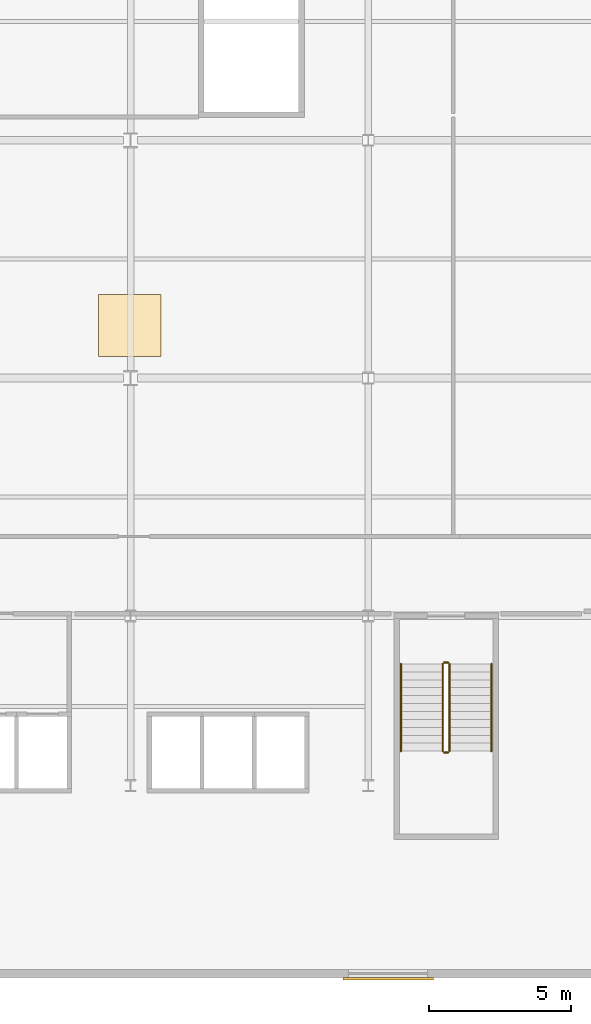
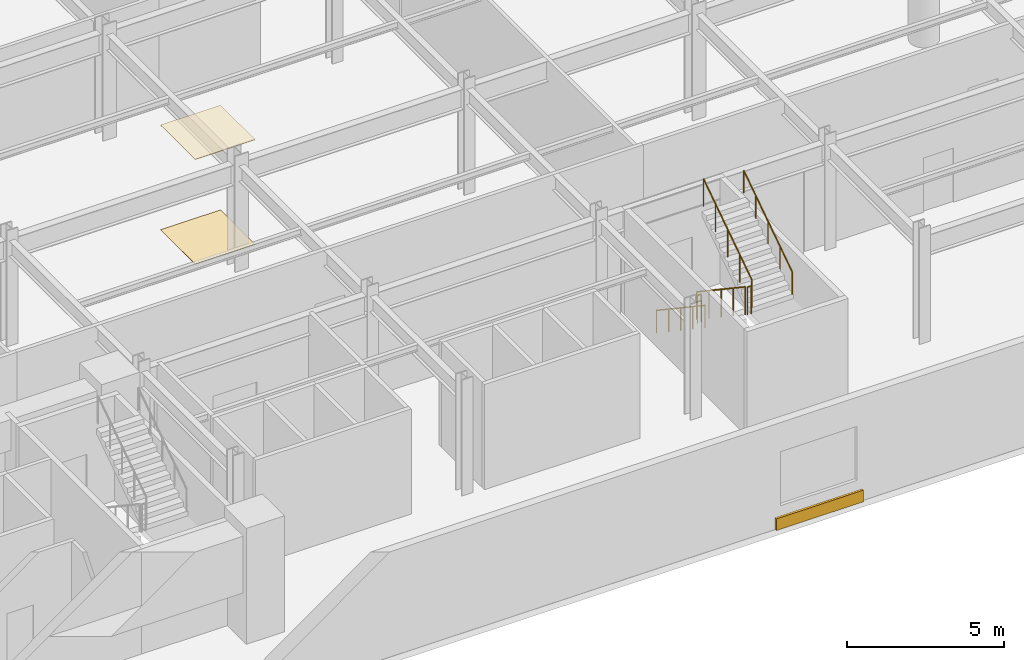
# One storey, part 21 of 23: 6 railings, 3 coverings.
"""IFC4 building model written with IfcOpenShell, lengths in metres."""

from ifc_helpers import new_model, si_unit, direction, frame, origin, origin_2d, place, context, subcontext, project, spatial, rectangle, circle, extrude, material, layer, layer_set, type_object, element, save


model = new_model("IFC4")

# Units and contexts
model_context = context("Model", 3, precision=1e-05, world=origin(), true_north=direction((0.0, 1.0)))
body_context = subcontext(model_context, "Body", "Model", "MODEL_VIEW")
ifc_project = project(units=[si_unit("LENGTHUNIT", "METRE"), si_unit("AREAUNIT", "SQUARE_METRE"), si_unit("VOLUMEUNIT", "CUBIC_METRE"), si_unit("PLANEANGLEUNIT", "RADIAN"), si_unit("MASSUNIT", "GRAM", prefix="KILO")], contexts=[model_context])

# Site, building, storey
site_placement = place(None, origin())
site = spatial("IfcSite", under=ifc_project, at=site_placement, CompositionType="ELEMENT")
building_placement = place(site_placement, origin())
building = spatial("IfcBuilding", under=site, at=building_placement, Name="Varnakote Quay Hospital", CompositionType="ELEMENT")
storey_placement = place(building_placement, frame((0.0, 0.0, 18.0)))
storey = spatial("IfcBuildingStorey", under=building, at=storey_placement, Name="L04", CompositionType="ELEMENT", Elevation=18.0)

# Coverings
ifc_material_1 = material(Name="Kiln-fired red brick architectural cladding", Category="masonry")
ifc_layer_1 = layer(ifc_material_1, 0.090087890625)
ifc_layer_set_1 = layer_set([ifc_layer_1], Name="Kiln-fired red brick architectural cladding")
covering_type_1 = type_object("IfcCoveringType", Name="COV-BRICK-CLAD-90", PredefinedType="CLADDING", material=ifc_layer_set_1)
covering_1_placement = place(storey_placement, frame((42.699951171875, -0.820068359375, 0.0), z_axis=(0.0, 0.0, 1.0), x_axis=(1.0, 0.0, 0.0)))
element("IfcCovering", 1, at=covering_1_placement, inside=storey, type_object=covering_type_1, Name="L04 Kiln-Brick Precast Spandrel Cladding Band", PredefinedType="CLADDING", context=body_context, shape_type="SweptSolid", body=[
    extrude(rectangle(XDim=3.199951171875, YDim=0.090087890625, at=origin_2d()), origin(), (0.0, 0.0, 1.0), 0.449951171875),
])
ifc_material_2 = material(Name="Antimicrobial acoustic mineral ceiling tile", Category="gypsum")
ifc_layer_2 = layer(ifc_material_2, 0.02490234375)
ifc_layer_set_2 = layer_set([ifc_layer_2], Name="Antimicrobial acoustic mineral ceiling tile")
covering_type_2 = type_object("IfcCoveringType", Name="COV-CLIN-CEIL-25", PredefinedType="CEILING", material=ifc_layer_set_2)
covering_2_placement = place(storey_placement, frame((33.574951171875, 22.260009765625, 4.054931640625), z_axis=(0.0, 0.0, 1.0), x_axis=(1.0, 0.0, 0.0)))
element("IfcCovering", 2, at=covering_2_placement, inside=storey, type_object=covering_type_2, Name="L04 Antimicrobial Acoustic Ceiling Tile", PredefinedType="CEILING", context=body_context, shape_type="SweptSolid", body=[
    extrude(rectangle(XDim=2.199951171875, YDim=2.199951171875, at=origin_2d()), origin(), (0.0, 0.0, 1.0), 0.02490234375),
])
ifc_material_3 = material(Name="Seamless clinical sheet vinyl flooring")
ifc_layer_3 = layer(ifc_material_3, 0.011962890625)
ifc_layer_set_3 = layer_set([ifc_layer_3], Name="Seamless clinical sheet vinyl flooring")
covering_type_3 = type_object("IfcCoveringType", Name="COV-CLIN-VINYL-12", PredefinedType="FLOORING", material=ifc_layer_set_3)
covering_3_placement = place(storey_placement, frame((33.574951171875, 22.260009765625, 0.0), z_axis=(0.0, 0.0, 1.0), x_axis=(1.0, 0.0, 0.0)))
element("IfcCovering", 3, at=covering_3_placement, inside=storey, type_object=covering_type_3, Name="L04 Seamless Clinical Vinyl Flooring", PredefinedType="FLOORING", context=body_context, shape_type="SweptSolid", body=[
    extrude(rectangle(XDim=2.199951171875, YDim=2.199951171875, at=origin_2d()), origin(), (0.0, 0.0, 1.0), 0.011962890625),
])

# Railings
ifc_material_4 = material(Name="Brushed stainless steel balustrade", Category="steel")
railing_type_1 = type_object("IfcRailingType", Name="RLG-STAIR-GUARD-1150", PredefinedType="GUARDRAIL", material=ifc_material_4)
railing_1_placement = place(storey_placement, frame((44.6298828125, 10.300048828125, 0.1875)))
element("IfcRailing", 4, at=railing_1_placement, inside=storey, type_object=railing_type_1, Name="L04 ST-03 stair guard 1", PredefinedType="GUARDRAIL", context=body_context, shape_type="SweptSolid", body=[
    extrude(circle(Radius=0.02392578125, at=origin_2d()), frame((0.0, 0.0, 1.076171875), z_axis=(0.0, -0.830913701846, 0.55640131208), x_axis=(1.0, 0.0, 0.0)), (0.0, 0.0, 1.0), 3.706787109375),
    extrude(circle(Radius=0.02099609375, at=origin_2d()), origin(), (0.0, 0.0, 1.0), 1.052001953125),
    extrude(circle(Radius=0.02099609375, at=origin_2d()), frame((0.0, -0.77001953125, 0.515625)), (0.0, 0.0, 1.0), 1.052001953125),
    extrude(circle(Radius=0.02099609375, at=origin_2d()), frame((0.0, -1.5400390625, 1.03125)), (0.0, 0.0, 1.0), 1.052001953125),
    extrude(circle(Radius=0.02099609375, at=origin_2d()), frame((0.0, -2.31005859375, 1.546875)), (0.0, 0.0, 1.0), 1.052001953125),
    extrude(circle(Radius=0.02099609375, at=origin_2d()), frame((0.0, -3.080078125, 2.0625)), (0.0, 0.0, 1.0), 1.052001953125),
])
railing_2_placement = place(storey_placement, frame((44.679931640625, 7.169921875, 2.25)))
element("IfcRailing", 5, at=railing_2_placement, inside=storey, type_object=railing_type_1, Name="L04 ST-03 stair guard 2", PredefinedType="GUARDRAIL", context=body_context, shape_type="SweptSolid", body=[
    extrude(circle(Radius=0.02392578125, at=origin_2d()), frame((0.0, 0.0, 1.076171875), z_axis=(1.0, 0.0, 0.0), x_axis=(0.0, 1.0, 0.0)), (0.0, 0.0, 1.0), 0.14013671875),
    extrude(circle(Radius=0.02099609375, at=origin_2d()), origin(), (0.0, 0.0, 1.0), 1.052001953125),
    extrude(circle(Radius=0.02099609375, at=origin_2d()), frame((0.14013671875, 0.0, 0.0)), (0.0, 0.0, 1.0), 1.052001953125),
])
railing_3_placement = place(storey_placement, frame((44.8701171875, 7.219970703125, 2.4375)))
element("IfcRailing", 6, at=railing_3_placement, inside=storey, type_object=railing_type_1, Name="L04 ST-03 stair guard 3", PredefinedType="GUARDRAIL", context=body_context, shape_type="SweptSolid", body=[
    extrude(circle(Radius=0.02392578125, at=origin_2d()), frame((0.0, 0.0, 1.076171875), z_axis=(0.0, 0.830913701846, 0.55640131208), x_axis=(-1.0, 0.0, 0.0)), (0.0, 0.0, 1.0), 3.706787109375),
    extrude(circle(Radius=0.02099609375, at=origin_2d()), origin(), (0.0, 0.0, 1.0), 1.052001953125),
    extrude(circle(Radius=0.02099609375, at=origin_2d()), frame((0.0, 0.77001953125, 0.515625)), (0.0, 0.0, 1.0), 1.052001953125),
    extrude(circle(Radius=0.02099609375, at=origin_2d()), frame((0.0, 1.5400390625, 1.03125)), (0.0, 0.0, 1.0), 1.052001953125),
    extrude(circle(Radius=0.02099609375, at=origin_2d()), frame((0.0, 2.31005859375, 1.546875)), (0.0, 0.0, 1.0), 1.052001953125),
    extrude(circle(Radius=0.02099609375, at=origin_2d()), frame((0.0, 3.080078125, 2.0625)), (0.0, 0.0, 1.0), 1.052001953125),
])
railing_4_placement = place(storey_placement, frame((44.679931640625, 10.35009765625, 0.0)))
element("IfcRailing", 7, at=railing_4_placement, inside=storey, type_object=railing_type_1, Name="L04 ST-03 stair guard 4", PredefinedType="GUARDRAIL", context=body_context, shape_type="SweptSolid", body=[
    extrude(circle(Radius=0.02392578125, at=origin_2d()), frame((0.0, 0.0, 1.076171875), z_axis=(1.0, 0.0, 0.0), x_axis=(0.0, 1.0, 0.0)), (0.0, 0.0, 1.0), 0.14013671875),
    extrude(circle(Radius=0.02099609375, at=origin_2d()), origin(), (0.0, 0.0, 1.0), 1.052001953125),
    extrude(circle(Radius=0.02099609375, at=origin_2d()), frame((0.14013671875, 0.0, 0.0)), (0.0, 0.0, 1.0), 1.052001953125),
])
ifc_material_5 = material(Name="Brushed stainless steel handrail", Category="steel")
railing_type_2 = type_object("IfcRailingType", Name="RLG-STAIR-HND-920", PredefinedType="HANDRAIL", material=ifc_material_5)
railing_5_placement = place(storey_placement, frame((43.14990234375, 10.300048828125, 0.1875)))
element("IfcRailing", 8, at=railing_5_placement, inside=storey, type_object=railing_type_2, Name="L04 ST-03 stair handrail 1", PredefinedType="HANDRAIL", context=body_context, shape_type="SweptSolid", body=[
    extrude(circle(Radius=0.02392578125, at=origin_2d()), frame((0.0, 0.0, 0.8759765625), z_axis=(0.0, -0.830913701846, 0.55640131208), x_axis=(1.0, 0.0, 0.0)), (0.0, 0.0, 1.0), 3.706787109375),
    extrude(circle(Radius=0.02099609375, at=origin_2d()), origin(), (0.0, 0.0, 1.0), 0.851806640625),
    extrude(circle(Radius=0.02099609375, at=origin_2d()), frame((0.0, -0.77001953125, 0.515625)), (0.0, 0.0, 1.0), 0.851806640625),
    extrude(circle(Radius=0.02099609375, at=origin_2d()), frame((0.0, -1.5400390625, 1.03125)), (0.0, 0.0, 1.0), 0.851806640625),
    extrude(circle(Radius=0.02099609375, at=origin_2d()), frame((0.0, -2.31005859375, 1.546875)), (0.0, 0.0, 1.0), 0.851806640625),
    extrude(circle(Radius=0.02099609375, at=origin_2d()), frame((0.0, -3.080078125, 2.0625)), (0.0, 0.0, 1.0), 0.851806640625),
])
railing_6_placement = place(storey_placement, frame((46.35009765625, 7.219970703125, 2.4375)))
element("IfcRailing", 9, at=railing_6_placement, inside=storey, type_object=railing_type_2, Name="L04 ST-03 stair handrail 2", PredefinedType="HANDRAIL", context=body_context, shape_type="SweptSolid", body=[
    extrude(circle(Radius=0.02392578125, at=origin_2d()), frame((0.0, 0.0, 0.8759765625), z_axis=(0.0, 0.830913701846, 0.55640131208), x_axis=(-1.0, 0.0, 0.0)), (0.0, 0.0, 1.0), 3.706787109375),
    extrude(circle(Radius=0.02099609375, at=origin_2d()), origin(), (0.0, 0.0, 1.0), 0.851806640625),
    extrude(circle(Radius=0.02099609375, at=origin_2d()), frame((0.0, 0.77001953125, 0.515625)), (0.0, 0.0, 1.0), 0.851806640625),
    extrude(circle(Radius=0.02099609375, at=origin_2d()), frame((0.0, 1.5400390625, 1.03125)), (0.0, 0.0, 1.0), 0.851806640625),
    extrude(circle(Radius=0.02099609375, at=origin_2d()), frame((0.0, 2.31005859375, 1.546875)), (0.0, 0.0, 1.0), 0.851806640625),
    extrude(circle(Radius=0.02099609375, at=origin_2d()), frame((0.0, 3.080078125, 2.0625)), (0.0, 0.0, 1.0), 0.851806640625),
])

save(model, "model.ifc")
